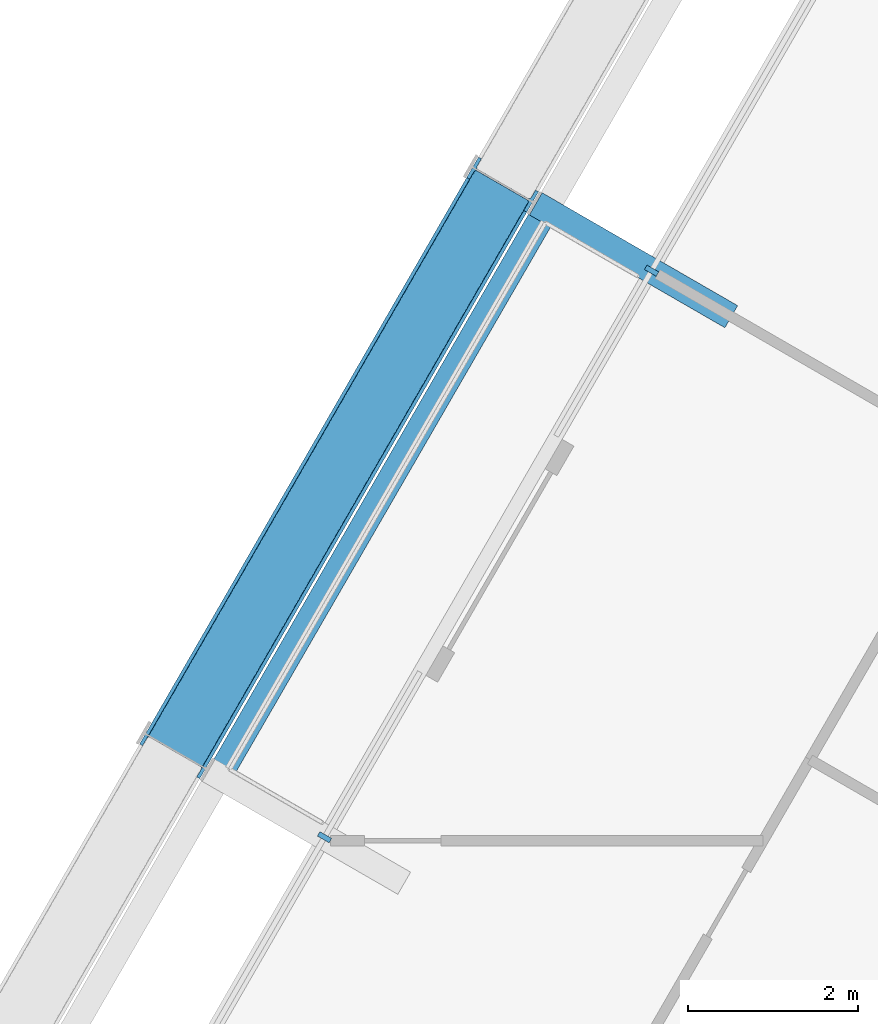
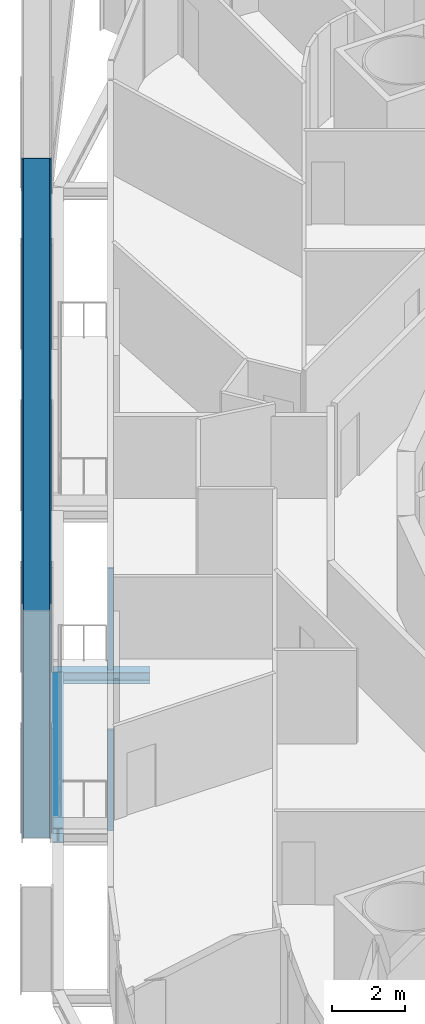
# One storey, part 5 of 22: 3 members, 2 beams, 1 element without a shape of its own.
"""IFC4 building model written with IfcOpenShell, lengths in metres."""

from ifc_helpers import new_model, si_unit, direction, frame, origin, origin_2d, place, context, subcontext, project, spatial, rectangle, i_section, extrude, material, layer, layer_set, material_profile, profile_set, type_object, element, aggregate, save


model = new_model("IFC4")

# Units and contexts
model_context = context("Model", 3, precision=1e-05, world=origin(), true_north=direction((0.0, 1.0)))
body_context = subcontext(model_context, "Body", "Model", "MODEL_VIEW")
ifc_project = project(units=[si_unit("LENGTHUNIT", "METRE"), si_unit("AREAUNIT", "SQUARE_METRE"), si_unit("VOLUMEUNIT", "CUBIC_METRE"), si_unit("PLANEANGLEUNIT", "RADIAN"), si_unit("MASSUNIT", "GRAM", prefix="KILO")], contexts=[model_context])

# Site, building, storey
site_placement = place(None, origin())
site = spatial("IfcSite", under=ifc_project, at=site_placement, CompositionType="ELEMENT")
building_placement = place(site_placement, origin())
building = spatial("IfcBuilding", under=site, at=building_placement, Name="Spindle Arch Residences", CompositionType="ELEMENT")
storey_placement = place(building_placement, frame((0.0, 0.0, 52.39990234375)))
storey = spatial("IfcBuildingStorey", under=building, at=storey_placement, Name="L11", CompositionType="ELEMENT", Elevation=52.39990234375)

# Curtain wall, members
ifc_material_1 = material(Name="Aluminium bronze unitised frame with tinted glass", Category="aluminium")
ifc_layer = layer(ifc_material_1, 0.159912109375)
ifc_layer_set = layer_set([ifc_layer], Name="CW-C typical residential unitised wall")
curtain_wall_type = type_object("IfcCurtainWallType", Name="CW-C typical residential unitised wall", PredefinedType="NOTDEFINED", material=ifc_layer_set)
curtain_wall_placement = place(storey_placement, origin())
curtain_wall = element("IfcCurtainWall", 1, at=curtain_wall_placement, inside=storey, type_object=curtain_wall_type, Name="CW-C L11 run 4", PredefinedType="NOTDEFINED")
ifc_material_2 = material(Name="Aluminium bronze anodised mullion", Category="aluminium")
ifc_material_profile_1 = material_profile(ifc_material_2, rectangle(XDim=0.159912109375, YDim=0.06005859375, at=origin_2d()), Name="MU 60x160")
ifc_profile_set_1 = profile_set([ifc_material_profile_1], Name="Aluminium bronze anodised mullion")
member_type_1 = type_object("IfcMemberType", Name="Bronze mullion 60x160", PredefinedType="MULLION", material=ifc_profile_set_1)
member_1_placement = place(storey_placement, frame((-18.9892578125, 6.529296875, -0.3798828125), z_axis=(0.0, 0.0, 1.0), x_axis=(0.866025403784, -0.5, 0.0)))
member_1 = element("IfcMember", 2, at=member_1_placement, type_object=member_type_1, Name="CW-C mullion 16", PredefinedType="MULLION", context=body_context, shape_type="SweptSolid", body=[
    extrude(rectangle(XDim=0.159912109375, YDim=0.06005859375, at=origin_2d()), origin(), (0.0, 0.0, 1.0), 3.3798828125),
])
member_2_placement = place(storey_placement, frame((-22.829345703125, -0.121826171875, -0.3798828125), z_axis=(0.0, 0.0, 1.0), x_axis=(0.866025403784, -0.5, 0.0)))
member_2 = element("IfcMember", 3, at=member_2_placement, type_object=member_type_1, Name="CW-C mullion 17", PredefinedType="MULLION", context=body_context, shape_type="SweptSolid", body=[
    extrude(rectangle(XDim=0.159912109375, YDim=0.06005859375, at=origin_2d()), origin(), (0.0, 0.0, 1.0), 3.3798828125),
])
aggregate(curtain_wall, [member_1, member_2])

# Member
ifc_material_3 = material(Name="Steel S460ML, intumescent coating R 240", Category="steel")
ifc_material_profile_2 = material_profile(ifc_material_3, i_section(OverallWidth=0.302978515625, OverallDepth=0.81396484375, WebThickness=0.02099609375, FlangeThickness=0.0400390625, FilletRadius=0.030029296875, at=origin_2d()), Name="HEM 800")
ifc_profile_set_2 = profile_set([ifc_material_profile_2], Name="Steel S460ML, intumescent coating R 240")
member_type_2 = type_object("IfcMemberType", Name="Diagrid diagonal HEM 800", PredefinedType="BRACE", material=ifc_profile_set_2)
member_3_placement = place(storey_placement, frame((-24.57861328125, 0.88818359375, -0.6298828125), z_axis=(0.203130339554, 0.351848921698, 0.913750732669), x_axis=(-0.45685895331, -0.791340823055, 0.406275274348)))
element("IfcMember", 4, at=member_3_placement, inside=storey, type_object=member_type_2, Name="Diagrid diagonal 1.2.17", PredefinedType="BRACE", context=body_context, shape_type="SweptSolid", body=[
    extrude(i_section(OverallWidth=0.302978515625, OverallDepth=0.81396484375, WebThickness=0.02099609375, FlangeThickness=0.0400390625, FilletRadius=0.030029296875, at=origin_2d()), origin(), (0.0, 0.0, 1.0), 18.9033203125),
])

# Beams
ifc_material_4 = material(Name="Steel S460ML, intumescent coating R 120", Category="steel")
ifc_material_profile_3 = material_profile(ifc_material_4, i_section(OverallWidth=0.300048828125, OverallDepth=0.5, WebThickness=0.014404296875, FlangeThickness=0.028076171875, FilletRadius=0.027099609375, at=origin_2d()), Name="HEB 500")
ifc_profile_set_3 = profile_set([ifc_material_profile_3], Name="Steel S460ML, intumescent coating R 120")
beam_type_1 = type_object("IfcBeamType", Name="Exoskeleton edge beam HEB 500", PredefinedType="BEAM", material=ifc_profile_set_3)
beam_1_placement = place(storey_placement, frame((-20.29541015625, 7.13330078125, -0.6298828125), z_axis=(-0.49998923004, -0.866031621735, 0.0), x_axis=(0.866031621735, -0.49998923004, 0.0)))
element("IfcBeam", 5, at=beam_1_placement, inside=storey, type_object=beam_type_1, Name="Exoskeleton edge beam 17", PredefinedType="BEAM", context=body_context, shape_type="SweptSolid", body=[
    extrude(i_section(OverallWidth=0.300048828125, OverallDepth=0.5, WebThickness=0.014404296875, FlangeThickness=0.028076171875, FilletRadius=0.027099609375, at=origin_2d()), origin(), (0.0, 0.0, 1.0), 7.420166015625),
])
ifc_material_5 = material(Name="Steel S460ML, intumescent coating R 120", Category="steel")
ifc_material_profile_4 = material_profile(ifc_material_5, i_section(OverallWidth=0.300048828125, OverallDepth=0.389892578125, WebThickness=0.010986328125, FlangeThickness=0.01904296875, FilletRadius=0.027099609375, at=origin_2d()), Name="HEA 400")
ifc_profile_set_4 = profile_set([ifc_material_profile_4], Name="Steel S460ML, intumescent coating R 120")
beam_type_2 = type_object("IfcBeamType", Name="Floor outrigger HEA 400", PredefinedType="BEAM", material=ifc_profile_set_4)
beam_2_placement = place(storey_placement, frame((-20.34912109375, 7.314453125, -0.574951171875), z_axis=(0.866052124492, -0.499953715521, 0.0), x_axis=(0.499953715521, 0.866052124492, 0.0)))
element("IfcBeam", 6, at=beam_2_placement, inside=storey, type_object=beam_type_2, Name="Floor outrigger 17", PredefinedType="BEAM", context=body_context, shape_type="SweptSolid", body=[
    extrude(i_section(OverallWidth=0.300048828125, OverallDepth=0.389892578125, WebThickness=0.010986328125, FlangeThickness=0.01904296875, FilletRadius=0.027099609375, at=origin_2d()), origin(), (0.0, 0.0, 1.0), 2.650146484375),
])

save(model, "model.ifc")
